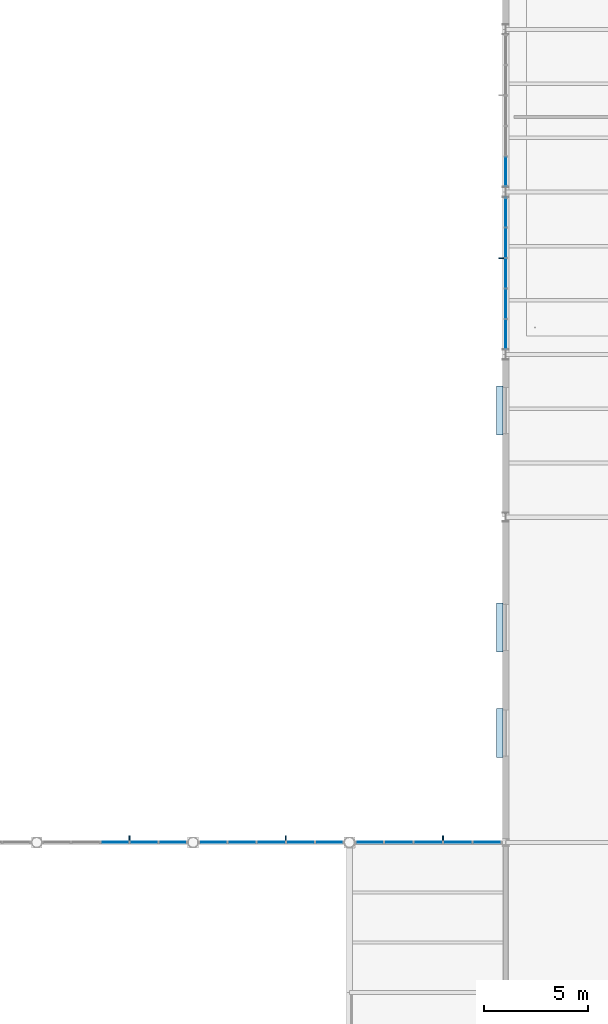
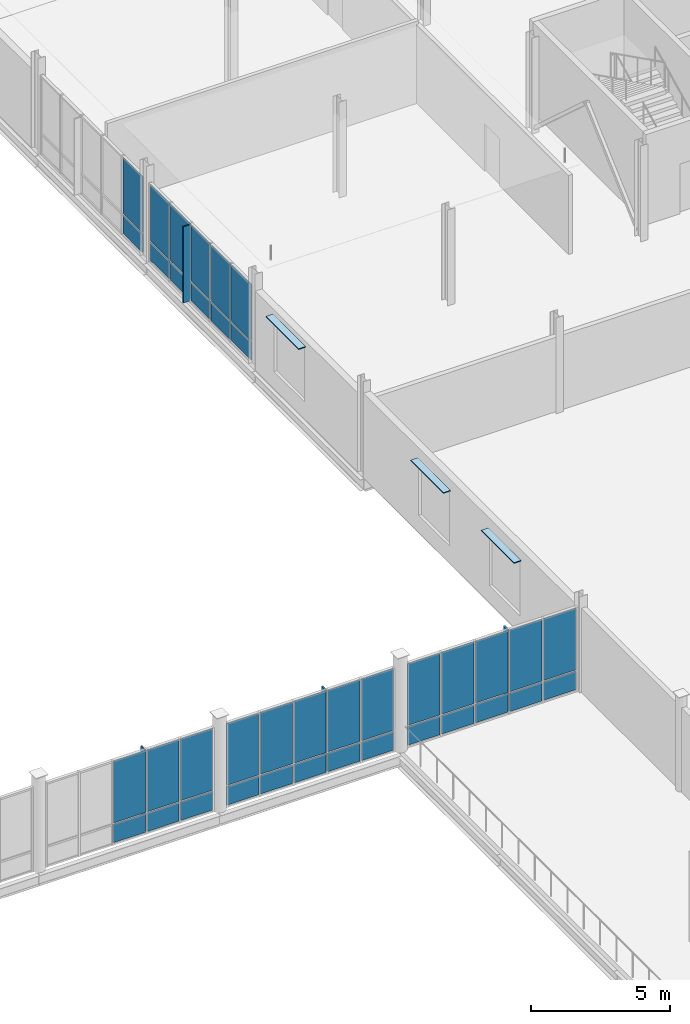
# One storey, part 43 of 75: 45 plates, 5 elements without a shape of their own.
"""IFC4 building model written with IfcOpenShell, lengths in metres."""

from ifc_helpers import new_model, si_unit, direction, frame, origin, origin_2d, place, context, subcontext, project, spatial, rectangle, extrude, material, layer, layer_set, type_object, element, aggregate, save


model = new_model("IFC4")

# Units and contexts
model_context = context("Model", 3, precision=1e-05, world=origin(), true_north=direction((0.0, 1.0)))
body_context = subcontext(model_context, "Body", "Model", "MODEL_VIEW")
ifc_project = project(units=[si_unit("LENGTHUNIT", "METRE"), si_unit("AREAUNIT", "SQUARE_METRE"), si_unit("VOLUMEUNIT", "CUBIC_METRE"), si_unit("PLANEANGLEUNIT", "RADIAN"), si_unit("MASSUNIT", "GRAM", prefix="KILO")], contexts=[model_context])

# Site, building, storey
site_placement = place(None, origin())
site = spatial("IfcSite", under=ifc_project, at=site_placement, CompositionType="ELEMENT")
building_placement = place(site_placement, origin())
building = spatial("IfcBuilding", under=site, at=building_placement, Name="Yukiwa Park Conservatory and Herbarium", CompositionType="ELEMENT")
storey_placement = place(building_placement, frame((0.0, 0.0, 4.800048828125)))
storey = spatial("IfcBuildingStorey", under=building, at=storey_placement, Name="L01", CompositionType="ELEMENT", Elevation=4.800048828125)

# Curtain wall, plate
ifc_material_1 = material(Name="Triple Low-E Insulated Glass", Category="glass")
ifc_layer_1 = layer(ifc_material_1, 0.199951171875)
ifc_layer_set_1 = layer_set([ifc_layer_1], Name="Triple Low-E Insulated Glass")
curtain_wall_type_1 = type_object("IfcCurtainWallType", Name="CW-VISITOR-1600", PredefinedType="NOTDEFINED", material=ifc_layer_set_1)
curtain_wall_1_placement = place(storey_placement, origin())
curtain_wall_1 = element("IfcCurtainWall", 1, at=curtain_wall_1_placement, inside=storey, type_object=curtain_wall_type_1, Name="L01 unitised curtain wall CW-L01-048", PredefinedType="NOTDEFINED")
ifc_material_2 = material(Name="Triple Low-E Insulated Glass", Category="glass")
ifc_layer_2 = layer(ifc_material_2, 0.035888671875)
ifc_layer_set_2 = layer_set([ifc_layer_2], Name="Triple Low-E Insulated Glass")
plate_type_1 = type_object("IfcPlateType", Name="PL-CW-GLZ-36", PredefinedType="CURTAIN_PANEL", material=ifc_layer_set_2)
plate_1_placement = place(storey_placement, frame((60.0, 63.375244140625, 0.934814453125), z_axis=(0.0, 0.0, 1.0), x_axis=(0.0, -1.0, 0.0)))
plate_1 = element("IfcPlate", 2, at=plate_1_placement, type_object=plate_type_1, Name="CW-L01-048 vision panel 5.2", PredefinedType="CURTAIN_PANEL", context=body_context, shape_type="SweptSolid", body=[
    extrude(rectangle(XDim=1.392333984375, YDim=0.035888671875, at=origin_2d()), origin(), (0.0, 0.0, 1.0), 2.4560546875),
])

# Curtain wall, plates
curtain_wall_2_placement = place(storey_placement, origin())
curtain_wall_2 = element("IfcCurtainWall", 3, at=curtain_wall_2_placement, inside=storey, type_object=curtain_wall_type_1, Name="L01 unitised curtain wall CW-L01-049", PredefinedType="NOTDEFINED")
plate_2_placement = place(storey_placement, frame((60.0, 61.4248046875, 0.934814453125), z_axis=(0.0, 0.0, 1.0), x_axis=(0.0, -1.0, 0.0)))
plate_2 = element("IfcPlate", 4, at=plate_2_placement, type_object=plate_type_1, Name="CW-L01-049 vision panel 1.2", PredefinedType="CURTAIN_PANEL", context=body_context, shape_type="SweptSolid", body=[
    extrude(rectangle(XDim=1.392333984375, YDim=0.035888671875, at=origin_2d()), origin(), (0.0, 0.0, 1.0), 2.4560546875),
])
plate_3_placement = place(storey_placement, frame((60.0, 59.96240234375, 0.934814453125), z_axis=(0.0, 0.0, 1.0), x_axis=(0.0, -1.0, 0.0)))
plate_3 = element("IfcPlate", 5, at=plate_3_placement, type_object=plate_type_1, Name="CW-L01-049 vision panel 2.2", PredefinedType="CURTAIN_PANEL", context=body_context, shape_type="SweptSolid", body=[
    extrude(rectangle(XDim=1.392333984375, YDim=0.035888671875, at=origin_2d()), origin(), (0.0, 0.0, 1.0), 2.4560546875),
])
plate_4_placement = place(storey_placement, frame((60.0, 58.5, 0.934814453125), z_axis=(0.0, 0.0, 1.0), x_axis=(0.0, -1.0, 0.0)))
plate_4 = element("IfcPlate", 6, at=plate_4_placement, type_object=plate_type_1, Name="CW-L01-049 vision panel 3.2", PredefinedType="CURTAIN_PANEL", context=body_context, shape_type="SweptSolid", body=[
    extrude(rectangle(XDim=1.392333984375, YDim=0.035888671875, at=origin_2d()), origin(), (0.0, 0.0, 1.0), 2.4560546875),
])
plate_5_placement = place(storey_placement, frame((60.0, 57.03759765625, 0.934814453125), z_axis=(0.0, 0.0, 1.0), x_axis=(0.0, -1.0, 0.0)))
plate_5 = element("IfcPlate", 7, at=plate_5_placement, type_object=plate_type_1, Name="CW-L01-049 vision panel 4.2", PredefinedType="CURTAIN_PANEL", context=body_context, shape_type="SweptSolid", body=[
    extrude(rectangle(XDim=1.392333984375, YDim=0.035888671875, at=origin_2d()), origin(), (0.0, 0.0, 1.0), 2.4560546875),
])
plate_6_placement = place(storey_placement, frame((60.0, 55.5751953125, 0.934814453125), z_axis=(0.0, 0.0, 1.0), x_axis=(0.0, -1.0, 0.0)))
plate_6 = element("IfcPlate", 8, at=plate_6_placement, type_object=plate_type_1, Name="CW-L01-049 vision panel 5.2", PredefinedType="CURTAIN_PANEL", context=body_context, shape_type="SweptSolid", body=[
    extrude(rectangle(XDim=1.392333984375, YDim=0.035888671875, at=origin_2d()), origin(), (0.0, 0.0, 1.0), 2.4560546875),
])

ifc_material_3 = material(Name="Triple Low-E Insulated Glass", Category="glass")
ifc_layer_3 = layer(ifc_material_3, 0.152099609375)
ifc_layer_set_3 = layer_set([ifc_layer_3], Name="Triple Low-E Insulated Glass")
curtain_wall_type_2 = type_object("IfcCurtainWallType", Name="CW-CONSERVATORY-1500", PredefinedType="NOTDEFINED", material=ifc_layer_set_3)
curtain_wall_3_placement = place(storey_placement, origin())
curtain_wall_3 = element("IfcCurtainWall", 9, at=curtain_wall_3_placement, inside=storey, type_object=curtain_wall_type_2, Name="L01 unitised curtain wall CW-L01-050", PredefinedType="NOTDEFINED")
plate_7_placement = place(storey_placement, frame((59.117919921875, 31.199951171875, 0.93505859375), z_axis=(0.0, 0.0, 1.0), x_axis=(-1.0, 0.0, 0.0)))
plate_7 = element("IfcPlate", 10, at=plate_7_placement, type_object=plate_type_1, Name="CW-L01-050 vision panel 1.2", PredefinedType="CURTAIN_PANEL", context=body_context, shape_type="SweptSolid", body=[
    extrude(rectangle(XDim=1.34423828125, YDim=0.035888671875, at=origin_2d()), origin(), (0.0, 0.0, 1.0), 2.695068359375),
])
plate_8_placement = place(storey_placement, frame((57.70361328125, 31.199951171875, 0.93505859375), z_axis=(0.0, 0.0, 1.0), x_axis=(-1.0, 0.0, 0.0)))
plate_8 = element("IfcPlate", 11, at=plate_8_placement, type_object=plate_type_1, Name="CW-L01-050 vision panel 2.2", PredefinedType="CURTAIN_PANEL", context=body_context, shape_type="SweptSolid", body=[
    extrude(rectangle(XDim=1.34423828125, YDim=0.035888671875, at=origin_2d()), origin(), (0.0, 0.0, 1.0), 2.695068359375),
])
plate_9_placement = place(storey_placement, frame((56.28955078125, 31.199951171875, 0.93505859375), z_axis=(0.0, 0.0, 1.0), x_axis=(-1.0, 0.0, 0.0)))
plate_9 = element("IfcPlate", 12, at=plate_9_placement, type_object=plate_type_1, Name="CW-L01-050 vision panel 3.2", PredefinedType="CURTAIN_PANEL", context=body_context, shape_type="SweptSolid", body=[
    extrude(rectangle(XDim=1.34423828125, YDim=0.035888671875, at=origin_2d()), origin(), (0.0, 0.0, 1.0), 2.695068359375),
])
plate_10_placement = place(storey_placement, frame((54.875244140625, 31.199951171875, 0.93505859375), z_axis=(0.0, 0.0, 1.0), x_axis=(-1.0, 0.0, 0.0)))
plate_10 = element("IfcPlate", 13, at=plate_10_placement, type_object=plate_type_1, Name="CW-L01-050 vision panel 4.2", PredefinedType="CURTAIN_PANEL", context=body_context, shape_type="SweptSolid", body=[
    extrude(rectangle(XDim=1.34423828125, YDim=0.035888671875, at=origin_2d()), origin(), (0.0, 0.0, 1.0), 2.695068359375),
])
plate_11_placement = place(storey_placement, frame((53.461181640625, 31.199951171875, 0.93505859375), z_axis=(0.0, 0.0, 1.0), x_axis=(-1.0, 0.0, 0.0)))
plate_11 = element("IfcPlate", 14, at=plate_11_placement, type_object=plate_type_1, Name="CW-L01-050 vision panel 5.2", PredefinedType="CURTAIN_PANEL", context=body_context, shape_type="SweptSolid", body=[
    extrude(rectangle(XDim=1.34423828125, YDim=0.035888671875, at=origin_2d()), origin(), (0.0, 0.0, 1.0), 2.695068359375),
])

curtain_wall_4_placement = place(storey_placement, origin())
curtain_wall_4 = element("IfcCurtainWall", 15, at=curtain_wall_4_placement, inside=storey, type_object=curtain_wall_type_2, Name="L01 unitised curtain wall CW-L01-051", PredefinedType="NOTDEFINED")
plate_12_placement = place(storey_placement, frame((51.546875, 31.199951171875, 0.93505859375), z_axis=(0.0, 0.0, 1.0), x_axis=(-1.0, 0.0, 0.0)))
plate_12 = element("IfcPlate", 16, at=plate_12_placement, type_object=plate_type_1, Name="CW-L01-051 vision panel 1.2", PredefinedType="CURTAIN_PANEL", context=body_context, shape_type="SweptSolid", body=[
    extrude(rectangle(XDim=1.328369140625, YDim=0.035888671875, at=origin_2d()), origin(), (0.0, 0.0, 1.0), 2.695068359375),
])
plate_13_placement = place(storey_placement, frame((50.1484375, 31.199951171875, 0.93505859375), z_axis=(0.0, 0.0, 1.0), x_axis=(-1.0, 0.0, 0.0)))
plate_13 = element("IfcPlate", 17, at=plate_13_placement, type_object=plate_type_1, Name="CW-L01-051 vision panel 2.2", PredefinedType="CURTAIN_PANEL", context=body_context, shape_type="SweptSolid", body=[
    extrude(rectangle(XDim=1.328369140625, YDim=0.035888671875, at=origin_2d()), origin(), (0.0, 0.0, 1.0), 2.695068359375),
])
plate_14_placement = place(storey_placement, frame((48.75, 31.199951171875, 0.93505859375), z_axis=(0.0, 0.0, 1.0), x_axis=(-1.0, 0.0, 0.0)))
plate_14 = element("IfcPlate", 18, at=plate_14_placement, type_object=plate_type_1, Name="CW-L01-051 vision panel 3.2", PredefinedType="CURTAIN_PANEL", context=body_context, shape_type="SweptSolid", body=[
    extrude(rectangle(XDim=1.328369140625, YDim=0.035888671875, at=origin_2d()), origin(), (0.0, 0.0, 1.0), 2.695068359375),
])
plate_15_placement = place(storey_placement, frame((47.3515625, 31.199951171875, 0.93505859375), z_axis=(0.0, 0.0, 1.0), x_axis=(-1.0, 0.0, 0.0)))
plate_15 = element("IfcPlate", 19, at=plate_15_placement, type_object=plate_type_1, Name="CW-L01-051 vision panel 4.2", PredefinedType="CURTAIN_PANEL", context=body_context, shape_type="SweptSolid", body=[
    extrude(rectangle(XDim=1.328369140625, YDim=0.035888671875, at=origin_2d()), origin(), (0.0, 0.0, 1.0), 2.695068359375),
])
plate_16_placement = place(storey_placement, frame((45.953125, 31.199951171875, 0.93505859375), z_axis=(0.0, 0.0, 1.0), x_axis=(-1.0, 0.0, 0.0)))
plate_16 = element("IfcPlate", 20, at=plate_16_placement, type_object=plate_type_1, Name="CW-L01-051 vision panel 5.2", PredefinedType="CURTAIN_PANEL", context=body_context, shape_type="SweptSolid", body=[
    extrude(rectangle(XDim=1.328369140625, YDim=0.035888671875, at=origin_2d()), origin(), (0.0, 0.0, 1.0), 2.695068359375),
])

curtain_wall_5_placement = place(storey_placement, origin())
curtain_wall_5 = element("IfcCurtainWall", 21, at=curtain_wall_5_placement, inside=storey, type_object=curtain_wall_type_2, Name="L01 unitised curtain wall CW-L01-052", PredefinedType="NOTDEFINED")
plate_17_placement = place(storey_placement, frame((44.046875, 31.199951171875, 0.93505859375), z_axis=(0.0, 0.0, 1.0), x_axis=(-1.0, 0.0, 0.0)))
plate_17 = element("IfcPlate", 22, at=plate_17_placement, type_object=plate_type_1, Name="CW-L01-052 vision panel 1.2", PredefinedType="CURTAIN_PANEL", context=body_context, shape_type="SweptSolid", body=[
    extrude(rectangle(XDim=1.328369140625, YDim=0.035888671875, at=origin_2d()), origin(), (0.0, 0.0, 1.0), 2.695068359375),
])
plate_18_placement = place(storey_placement, frame((42.6484375, 31.199951171875, 0.93505859375), z_axis=(0.0, 0.0, 1.0), x_axis=(-1.0, 0.0, 0.0)))
plate_18 = element("IfcPlate", 23, at=plate_18_placement, type_object=plate_type_1, Name="CW-L01-052 vision panel 2.2", PredefinedType="CURTAIN_PANEL", context=body_context, shape_type="SweptSolid", body=[
    extrude(rectangle(XDim=1.328369140625, YDim=0.035888671875, at=origin_2d()), origin(), (0.0, 0.0, 1.0), 2.695068359375),
])
plate_19_placement = place(storey_placement, frame((41.25, 31.199951171875, 0.93505859375), z_axis=(0.0, 0.0, 1.0), x_axis=(-1.0, 0.0, 0.0)))
plate_19 = element("IfcPlate", 24, at=plate_19_placement, type_object=plate_type_1, Name="CW-L01-052 vision panel 3.2", PredefinedType="CURTAIN_PANEL", context=body_context, shape_type="SweptSolid", body=[
    extrude(rectangle(XDim=1.328369140625, YDim=0.035888671875, at=origin_2d()), origin(), (0.0, 0.0, 1.0), 2.695068359375),
])

# Plate
ifc_material_4 = material(Name="Anodised Aluminium", Category="aluminium")
ifc_layer_4 = layer(ifc_material_4, 0.044921875)
ifc_layer_set_4 = layer_set([ifc_layer_4], Name="Anodised Aluminium")
plate_type_2 = type_object("IfcPlateType", Name="PL-CW-SPN-45", PredefinedType="CURTAIN_PANEL", material=ifc_layer_set_4)
plate_20_placement = place(storey_placement, frame((60.0, 63.375244140625, 0.070068359375), z_axis=(0.0, 0.0, 1.0), x_axis=(0.0, -1.0, 0.0)))
plate_20 = element("IfcPlate", 25, at=plate_20_placement, type_object=plate_type_2, Name="CW-L01-048 spandrel panel 5.1", PredefinedType="CURTAIN_PANEL", context=body_context, shape_type="SweptSolid", body=[
    extrude(rectangle(XDim=1.392333984375, YDim=0.044921875, at=origin_2d()), origin(), (0.0, 0.0, 1.0), 0.794921875),
])

aggregate(curtain_wall_1, [plate_20, plate_1])

plate_21_placement = place(storey_placement, frame((60.0, 61.4248046875, 0.070068359375), z_axis=(0.0, 0.0, 1.0), x_axis=(0.0, -1.0, 0.0)))
plate_21 = element("IfcPlate", 26, at=plate_21_placement, type_object=plate_type_2, Name="CW-L01-049 spandrel panel 1.1", PredefinedType="CURTAIN_PANEL", context=body_context, shape_type="SweptSolid", body=[
    extrude(rectangle(XDim=1.392333984375, YDim=0.044921875, at=origin_2d()), origin(), (0.0, 0.0, 1.0), 0.794921875),
])

plate_22_placement = place(storey_placement, frame((60.0, 59.96240234375, 0.070068359375), z_axis=(0.0, 0.0, 1.0), x_axis=(0.0, -1.0, 0.0)))
plate_22 = element("IfcPlate", 27, at=plate_22_placement, type_object=plate_type_2, Name="CW-L01-049 spandrel panel 2.1", PredefinedType="CURTAIN_PANEL", context=body_context, shape_type="SweptSolid", body=[
    extrude(rectangle(XDim=1.392333984375, YDim=0.044921875, at=origin_2d()), origin(), (0.0, 0.0, 1.0), 0.794921875),
])

plate_23_placement = place(storey_placement, frame((60.0, 58.5, 0.070068359375), z_axis=(0.0, 0.0, 1.0), x_axis=(0.0, -1.0, 0.0)))
plate_23 = element("IfcPlate", 28, at=plate_23_placement, type_object=plate_type_2, Name="CW-L01-049 spandrel panel 3.1", PredefinedType="CURTAIN_PANEL", context=body_context, shape_type="SweptSolid", body=[
    extrude(rectangle(XDim=1.392333984375, YDim=0.044921875, at=origin_2d()), origin(), (0.0, 0.0, 1.0), 0.794921875),
])

plate_24_placement = place(storey_placement, frame((60.0, 57.03759765625, 0.070068359375), z_axis=(0.0, 0.0, 1.0), x_axis=(0.0, -1.0, 0.0)))
plate_24 = element("IfcPlate", 29, at=plate_24_placement, type_object=plate_type_2, Name="CW-L01-049 spandrel panel 4.1", PredefinedType="CURTAIN_PANEL", context=body_context, shape_type="SweptSolid", body=[
    extrude(rectangle(XDim=1.392333984375, YDim=0.044921875, at=origin_2d()), origin(), (0.0, 0.0, 1.0), 0.794921875),
])

plate_25_placement = place(storey_placement, frame((60.0, 55.5751953125, 0.070068359375), z_axis=(0.0, 0.0, 1.0), x_axis=(0.0, -1.0, 0.0)))
plate_25 = element("IfcPlate", 30, at=plate_25_placement, type_object=plate_type_2, Name="CW-L01-049 spandrel panel 5.1", PredefinedType="CURTAIN_PANEL", context=body_context, shape_type="SweptSolid", body=[
    extrude(rectangle(XDim=1.392333984375, YDim=0.044921875, at=origin_2d()), origin(), (0.0, 0.0, 1.0), 0.794921875),
])

aggregate(curtain_wall_2, [plate_21, plate_2, plate_22, plate_3, plate_23, plate_4, plate_24, plate_5, plate_25, plate_6])

plate_26_placement = place(storey_placement, frame((59.117919921875, 31.199951171875, 0.070068359375), z_axis=(0.0, 0.0, 1.0), x_axis=(-1.0, 0.0, 0.0)))
plate_26 = element("IfcPlate", 31, at=plate_26_placement, type_object=plate_type_2, Name="CW-L01-050 spandrel panel 1.1", PredefinedType="CURTAIN_PANEL", context=body_context, shape_type="SweptSolid", body=[
    extrude(rectangle(XDim=1.34423828125, YDim=0.044921875, at=origin_2d()), origin(), (0.0, 0.0, 1.0), 0.794921875),
])

plate_27_placement = place(storey_placement, frame((57.70361328125, 31.199951171875, 0.070068359375), z_axis=(0.0, 0.0, 1.0), x_axis=(-1.0, 0.0, 0.0)))
plate_27 = element("IfcPlate", 32, at=plate_27_placement, type_object=plate_type_2, Name="CW-L01-050 spandrel panel 2.1", PredefinedType="CURTAIN_PANEL", context=body_context, shape_type="SweptSolid", body=[
    extrude(rectangle(XDim=1.34423828125, YDim=0.044921875, at=origin_2d()), origin(), (0.0, 0.0, 1.0), 0.794921875),
])

plate_28_placement = place(storey_placement, frame((56.28955078125, 31.199951171875, 0.070068359375), z_axis=(0.0, 0.0, 1.0), x_axis=(-1.0, 0.0, 0.0)))
plate_28 = element("IfcPlate", 33, at=plate_28_placement, type_object=plate_type_2, Name="CW-L01-050 spandrel panel 3.1", PredefinedType="CURTAIN_PANEL", context=body_context, shape_type="SweptSolid", body=[
    extrude(rectangle(XDim=1.34423828125, YDim=0.044921875, at=origin_2d()), origin(), (0.0, 0.0, 1.0), 0.794921875),
])

plate_29_placement = place(storey_placement, frame((54.875244140625, 31.199951171875, 0.070068359375), z_axis=(0.0, 0.0, 1.0), x_axis=(-1.0, 0.0, 0.0)))
plate_29 = element("IfcPlate", 34, at=plate_29_placement, type_object=plate_type_2, Name="CW-L01-050 spandrel panel 4.1", PredefinedType="CURTAIN_PANEL", context=body_context, shape_type="SweptSolid", body=[
    extrude(rectangle(XDim=1.34423828125, YDim=0.044921875, at=origin_2d()), origin(), (0.0, 0.0, 1.0), 0.794921875),
])

plate_30_placement = place(storey_placement, frame((53.461181640625, 31.199951171875, 0.070068359375), z_axis=(0.0, 0.0, 1.0), x_axis=(-1.0, 0.0, 0.0)))
plate_30 = element("IfcPlate", 35, at=plate_30_placement, type_object=plate_type_2, Name="CW-L01-050 spandrel panel 5.1", PredefinedType="CURTAIN_PANEL", context=body_context, shape_type="SweptSolid", body=[
    extrude(rectangle(XDim=1.34423828125, YDim=0.044921875, at=origin_2d()), origin(), (0.0, 0.0, 1.0), 0.794921875),
])

aggregate(curtain_wall_3, [plate_26, plate_7, plate_27, plate_8, plate_28, plate_9, plate_29, plate_10, plate_30, plate_11])

plate_31_placement = place(storey_placement, frame((51.546875, 31.199951171875, 0.070068359375), z_axis=(0.0, 0.0, 1.0), x_axis=(-1.0, 0.0, 0.0)))
plate_31 = element("IfcPlate", 36, at=plate_31_placement, type_object=plate_type_2, Name="CW-L01-051 spandrel panel 1.1", PredefinedType="CURTAIN_PANEL", context=body_context, shape_type="SweptSolid", body=[
    extrude(rectangle(XDim=1.328369140625, YDim=0.044921875, at=origin_2d()), origin(), (0.0, 0.0, 1.0), 0.794921875),
])

plate_32_placement = place(storey_placement, frame((50.1484375, 31.199951171875, 0.070068359375), z_axis=(0.0, 0.0, 1.0), x_axis=(-1.0, 0.0, 0.0)))
plate_32 = element("IfcPlate", 37, at=plate_32_placement, type_object=plate_type_2, Name="CW-L01-051 spandrel panel 2.1", PredefinedType="CURTAIN_PANEL", context=body_context, shape_type="SweptSolid", body=[
    extrude(rectangle(XDim=1.328369140625, YDim=0.044921875, at=origin_2d()), origin(), (0.0, 0.0, 1.0), 0.794921875),
])

plate_33_placement = place(storey_placement, frame((48.75, 31.199951171875, 0.070068359375), z_axis=(0.0, 0.0, 1.0), x_axis=(-1.0, 0.0, 0.0)))
plate_33 = element("IfcPlate", 38, at=plate_33_placement, type_object=plate_type_2, Name="CW-L01-051 spandrel panel 3.1", PredefinedType="CURTAIN_PANEL", context=body_context, shape_type="SweptSolid", body=[
    extrude(rectangle(XDim=1.328369140625, YDim=0.044921875, at=origin_2d()), origin(), (0.0, 0.0, 1.0), 0.794921875),
])

plate_34_placement = place(storey_placement, frame((47.3515625, 31.199951171875, 0.070068359375), z_axis=(0.0, 0.0, 1.0), x_axis=(-1.0, 0.0, 0.0)))
plate_34 = element("IfcPlate", 39, at=plate_34_placement, type_object=plate_type_2, Name="CW-L01-051 spandrel panel 4.1", PredefinedType="CURTAIN_PANEL", context=body_context, shape_type="SweptSolid", body=[
    extrude(rectangle(XDim=1.328369140625, YDim=0.044921875, at=origin_2d()), origin(), (0.0, 0.0, 1.0), 0.794921875),
])

plate_35_placement = place(storey_placement, frame((45.953125, 31.199951171875, 0.070068359375), z_axis=(0.0, 0.0, 1.0), x_axis=(-1.0, 0.0, 0.0)))
plate_35 = element("IfcPlate", 40, at=plate_35_placement, type_object=plate_type_2, Name="CW-L01-051 spandrel panel 5.1", PredefinedType="CURTAIN_PANEL", context=body_context, shape_type="SweptSolid", body=[
    extrude(rectangle(XDim=1.328369140625, YDim=0.044921875, at=origin_2d()), origin(), (0.0, 0.0, 1.0), 0.794921875),
])

aggregate(curtain_wall_4, [plate_31, plate_12, plate_32, plate_13, plate_33, plate_14, plate_34, plate_15, plate_35, plate_16])

plate_36_placement = place(storey_placement, frame((44.046875, 31.199951171875, 0.070068359375), z_axis=(0.0, 0.0, 1.0), x_axis=(-1.0, 0.0, 0.0)))
plate_36 = element("IfcPlate", 41, at=plate_36_placement, type_object=plate_type_2, Name="CW-L01-052 spandrel panel 1.1", PredefinedType="CURTAIN_PANEL", context=body_context, shape_type="SweptSolid", body=[
    extrude(rectangle(XDim=1.328369140625, YDim=0.044921875, at=origin_2d()), origin(), (0.0, 0.0, 1.0), 0.794921875),
])

plate_37_placement = place(storey_placement, frame((42.6484375, 31.199951171875, 0.070068359375), z_axis=(0.0, 0.0, 1.0), x_axis=(-1.0, 0.0, 0.0)))
plate_37 = element("IfcPlate", 42, at=plate_37_placement, type_object=plate_type_2, Name="CW-L01-052 spandrel panel 2.1", PredefinedType="CURTAIN_PANEL", context=body_context, shape_type="SweptSolid", body=[
    extrude(rectangle(XDim=1.328369140625, YDim=0.044921875, at=origin_2d()), origin(), (0.0, 0.0, 1.0), 0.794921875),
])

plate_38_placement = place(storey_placement, frame((41.25, 31.199951171875, 0.070068359375), z_axis=(0.0, 0.0, 1.0), x_axis=(-1.0, 0.0, 0.0)))
plate_38 = element("IfcPlate", 43, at=plate_38_placement, type_object=plate_type_2, Name="CW-L01-052 spandrel panel 3.1", PredefinedType="CURTAIN_PANEL", context=body_context, shape_type="SweptSolid", body=[
    extrude(rectangle(XDim=1.328369140625, YDim=0.044921875, at=origin_2d()), origin(), (0.0, 0.0, 1.0), 0.794921875),
])

aggregate(curtain_wall_5, [plate_36, plate_17, plate_37, plate_18, plate_38, plate_19])

# Plates
ifc_material_5 = material(Name="Anodised Aluminium", Category="aluminium")
ifc_layer_5 = layer(ifc_material_5, 0.050048828125)
ifc_layer_set_5 = layer_set([ifc_layer_5], Name="Anodised Aluminium")
plate_type_3 = type_object("IfcPlateType", Name="PL-FIN-ALU-50", PredefinedType="USERDEFINED", material=ifc_layer_set_5)
plate_39_placement = place(storey_placement, frame((59.81005859375, 59.231201171875, 0.06005859375), z_axis=(0.0, 0.0, 1.0), x_axis=(0.0, -1.0, 0.0)))
element("IfcPlate", 44, at=plate_39_placement, inside=storey, type_object=plate_type_3, Name="CW-L01-049 exterior vertical shading fin", ObjectType="SHADING FIN", PredefinedType="USERDEFINED", context=body_context, shape_type="SweptSolid", body=[
    extrude(rectangle(XDim=0.050048828125, YDim=0.280029296875, at=origin_2d()), origin(), (0.0, 0.0, 1.0), 3.341064453125),
])
ifc_material_6 = material(Name="Charred Larch Cladding", Category="wood")
ifc_layer_6 = layer(ifc_material_6, 0.06494140625)
ifc_layer_set_6 = layer_set([ifc_layer_6], Name="Charred Larch Cladding")
plate_type_4 = type_object("IfcPlateType", Name="PL-FIN-LARCH-65", PredefinedType="USERDEFINED", material=ifc_layer_set_6)
for number, where, z_axis, x_axis, name in (
    (45, (56.99658203125, 31.389892578125, 0.059814453125), (0.0, 0.0, 1.0), (-1.0, 0.0, 0.0), "CW-L01-050 exterior vertical shading fin"),
    (46, (49.44921875, 31.389892578125, 0.059814453125), (0.0, 0.0, 1.0), (-1.0, 0.0, 0.0), "CW-L01-051 exterior vertical shading fin"),
    (47, (41.94921875, 31.389892578125, 0.059814453125), (0.0, 0.0, 1.0), (-1.0, 0.0, 0.0), "CW-L01-052 exterior vertical shading fin"),
):
    element("IfcPlate", number, at=place(storey_placement, frame(where, z_axis=z_axis, x_axis=x_axis)), inside=storey, type_object=plate_type_4, Name=name, ObjectType="SHADING FIN", PredefinedType="USERDEFINED", context=body_context, shape_type="SweptSolid", body=[
        extrude(rectangle(XDim=0.06494140625, YDim=0.280029296875, at=origin_2d()), origin(), (0.0, 0.0, 1.0), 3.580078125),
    ])
ifc_material_7 = material(Name="Anodised Aluminium", Category="aluminium")
ifc_layer_7 = layer(ifc_material_7, 0.0400390625)
ifc_layer_set_7 = layer_set([ifc_layer_7], Name="Anodised Aluminium")
plate_type_5 = type_object("IfcPlateType", Name="PL-SHADE-ALU-40", PredefinedType="SHEET", material=ifc_layer_set_7)
for number, where, z_axis, x_axis, name in (
    (48, (59.715087890625, 51.910888671875, 3.18994140625), (0.0, 0.0, 1.0), (0.0, -1.0, 0.0), "L01 snow-shedding window hood 76"),
    (49, (59.715087890625, 41.511962890625, 3.18994140625), (0.0, 0.0, 1.0), (0.0, -1.0, 0.0), "L01 snow-shedding window hood 77"),
    (50, (59.715087890625, 36.443115234375, 3.18994140625), (0.0, 0.0, 1.0), (0.0, -1.0, 0.0), "L01 snow-shedding window hood 78"),
):
    element("IfcPlate", number, at=place(storey_placement, frame(where, z_axis=z_axis, x_axis=x_axis)), inside=storey, type_object=plate_type_5, Name=name, PredefinedType="SHEET", context=body_context, shape_type="SweptSolid", body=[
        extrude(rectangle(XDim=2.360107421875, YDim=0.300048828125, at=origin_2d()), origin(), (0.0, 0.0, 1.0), 0.0400390625),
    ])

save(model, "model.ifc")
